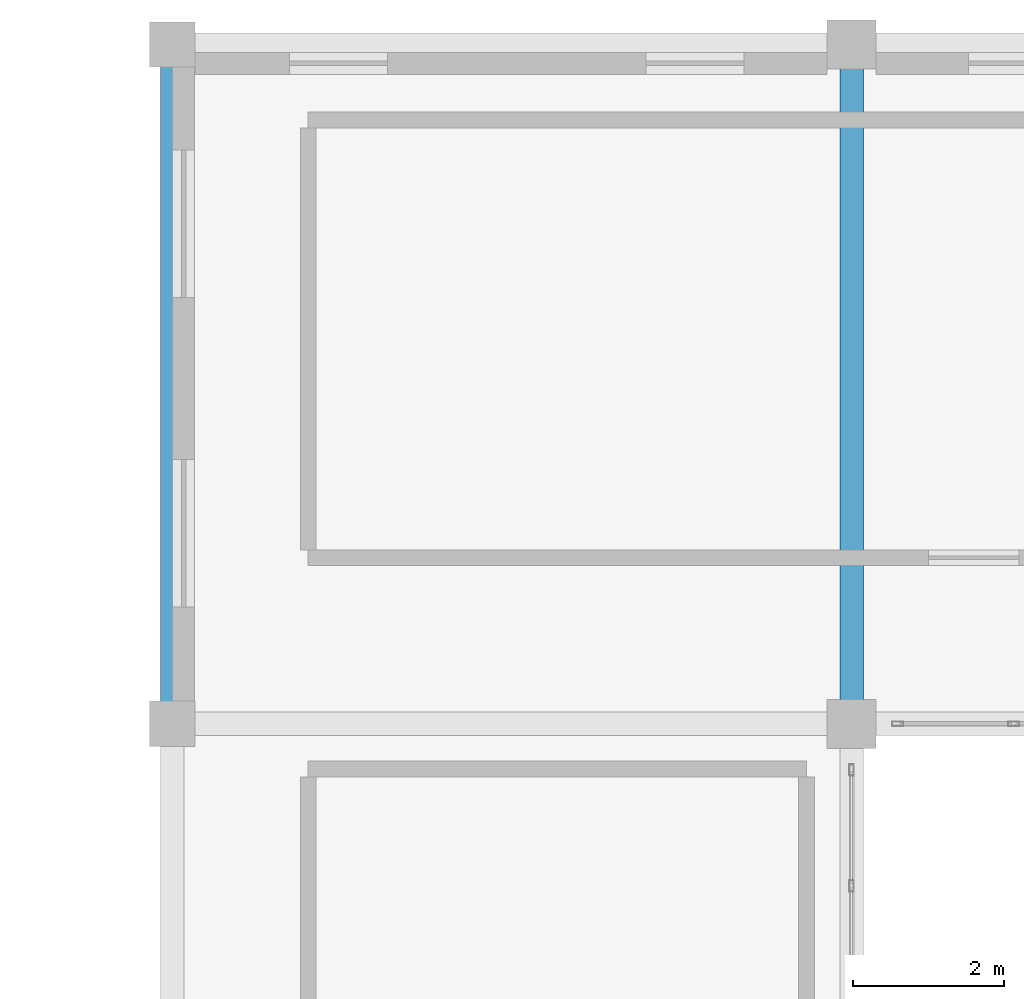
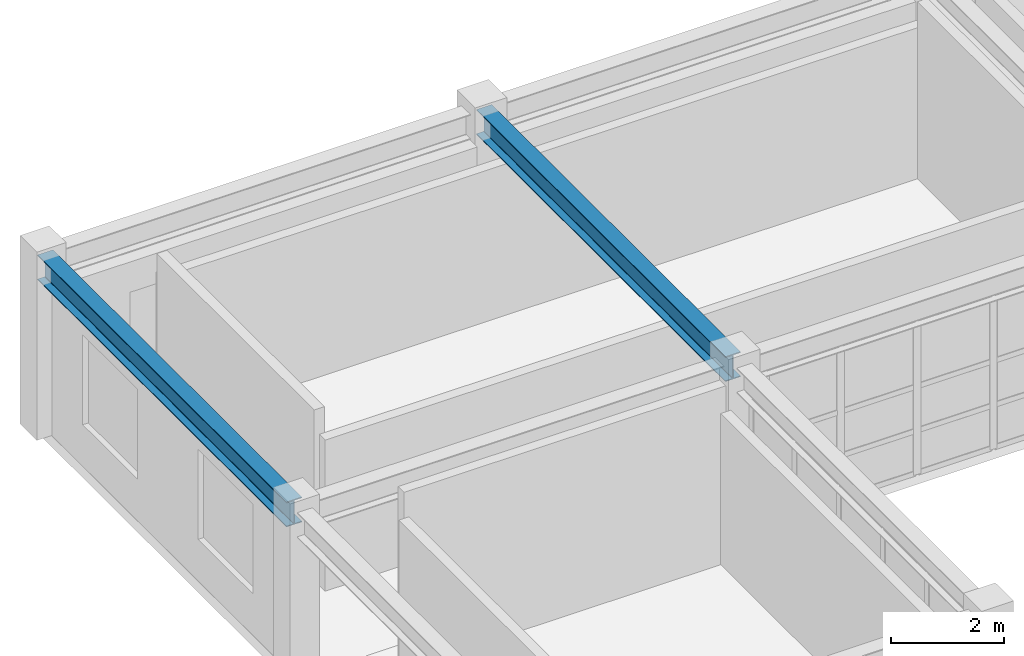
# One storey, part 63 of 110: 2 beams.
"""IFC4 building model written with IfcOpenShell, lengths in metres."""

import ifcopenshell
import ifcopenshell.guid

model = None  # the IFC model being written
_history = None  # IfcOwnerHistory: only IFC2X3 demands one
_inside = {}  # id of a spatial element -> (the spatial element, [elements in it])
_under = {}  # id of a project, library or spatial element -> (it, [spatial elements below it])
_declared = {}  # id of a project -> (the project, [libraries it declares])
_typed = {}  # id of a type object -> (the type object, [elements of that type])
_made_of = {}  # id of a material, layer set ... -> (it, [elements and type objects made of it])


def new_model(schema):
    """Start an empty IFC model of exactly this schema.

    Asked for "IFC4X3", IfcOpenShell would pick the latest addendum, in which some entities
    have other attributes; the version numbers below select the first issue.
    IFC2X3 requires an IfcOwnerHistory on every rooted entity: one is made here for all.
    """
    global model, _history
    if schema == "IFC4X3":
        model = ifcopenshell.file(schema_version=(4, 3, 0, 0))
    else:
        model = ifcopenshell.file(schema=schema)
    _inside.clear()
    _under.clear()
    _declared.clear()
    _typed.clear()
    _made_of.clear()
    _history = None
    if model.schema == "IFC2X3":
        org = make("IfcOrganization", Name="unknown")
        user = make(
            "IfcPersonAndOrganization",
            ThePerson=make("IfcPerson", FamilyName="unknown"),
            TheOrganization=org,
        )
        app = make(
            "IfcApplication",
            ApplicationDeveloper=org,
            Version="unknown",
            ApplicationFullName="unknown",
            ApplicationIdentifier="unknown",
        )
        _history = make(
            "IfcOwnerHistory",
            OwningUser=user,
            OwningApplication=app,
            ChangeAction="ADDED",
            CreationDate=0,
        )
    return model


def make(cls, **values):
    """One entity of the class cls with the attributes given. An attribute that is None is left unset."""
    return model.create_entity(
        cls, **{name: value for name, value in values.items() if value is not None}
    )


def rooted(cls, **values):
    """An entity with a GlobalId (a new one), such as an element, a storey or a relation."""
    return make(cls, GlobalId=ifcopenshell.guid.new(), OwnerHistory=_history, **values)


def si_unit(unit_type, name, prefix=None):
    """IfcSIUnit, for example si_unit("LENGTHUNIT", "METRE", prefix="MILLI")."""
    return make("IfcSIUnit", UnitType=unit_type, Prefix=prefix, Name=name)


def assignment(units):
    """IfcUnitAssignment: the units of a project."""
    return None if units is None else make("IfcUnitAssignment", Units=units)


def point(xyz):
    """IfcCartesianPoint."""
    return None if xyz is None else make("IfcCartesianPoint", Coordinates=xyz)


def direction(xyz):
    """IfcDirection."""
    return None if xyz is None else make("IfcDirection", DirectionRatios=xyz)


def frame(location, z_axis=None, x_axis=None):
    """IfcAxis2Placement3D, a coordinate frame: its origin and axes. An axis left out is left unset."""
    return make(
        "IfcAxis2Placement3D",
        Location=point(location),
        Axis=direction(z_axis),
        RefDirection=direction(x_axis),
    )


def frame_2d(location, x_axis=None):
    """IfcAxis2Placement2D, a coordinate frame in the plane: its origin and x axis."""
    return make(
        "IfcAxis2Placement2D", Location=point(location), RefDirection=direction(x_axis)
    )


def origin():
    """The frame at (0, 0, 0) with its axes left unset."""
    return frame((0.0, 0.0, 0.0))


def origin_2d():
    """The frame at (0, 0) in the plane with its x axis left unset."""
    return frame_2d((0.0, 0.0))


def place(relative_to, where):
    """IfcLocalPlacement: puts the frame where relative to a parent placement (None: the world)."""
    return make(
        "IfcLocalPlacement", PlacementRelTo=relative_to, RelativePlacement=where
    )


def context(
    kind, dimensions, precision=None, world=None, true_north=None, identifier=None
):
    """IfcGeometricRepresentationContext, for example the 3D "Model" context."""
    return make(
        "IfcGeometricRepresentationContext",
        ContextIdentifier=identifier,
        ContextType=kind,
        CoordinateSpaceDimension=dimensions,
        Precision=precision,
        WorldCoordinateSystem=world,
        TrueNorth=true_north,
    )


def subcontext(parent, identifier, kind, view, scale=None):
    """IfcGeometricRepresentationSubContext, for example "Body" below "Model"."""
    return make(
        "IfcGeometricRepresentationSubContext",
        ContextIdentifier=identifier,
        ContextType=kind,
        ParentContext=parent,
        TargetScale=scale,
        TargetView=view,
    )


def project(units=None, contexts=None):
    """IfcProject with its units and contexts."""
    return rooted(
        "IfcProject",
        Name="project",
        RepresentationContexts=contexts,
        UnitsInContext=assignment(units),
    )


def spatial(cls, under=None, at=None, **own):
    """A site, building, storey or space (cls), placed at a placement, below another one or the project."""
    s = rooted(cls, ObjectPlacement=at, **own)
    if under is not None:
        _under.setdefault(under.id(), (under, []))[1].append(s)
    return s


def profile(cls, at=None, kind="AREA", **sizes):
    """A parametric profile (cls). Its sizes go by their IFC names, for example OverallWidth=200.0."""
    return make(cls, ProfileType=kind, Position=at, **sizes)


def i_section(**sizes):
    """IfcIShapeProfileDef."""
    return profile("IfcIShapeProfileDef", **sizes)


def extrude(swept, where, along, depth):
    """IfcExtrudedAreaSolid: the profile swept, set in the frame where, extruded along a direction by depth."""
    return make(
        "IfcExtrudedAreaSolid",
        SweptArea=swept,
        Position=where,
        ExtrudedDirection=direction(along),
        Depth=depth,
    )


def shape(context_of_items, identifier, shape_type, items):
    """IfcShapeRepresentation: the items that make up one representation, for example the "Body"."""
    return make(
        "IfcShapeRepresentation",
        ContextOfItems=context_of_items,
        RepresentationIdentifier=identifier,
        RepresentationType=shape_type,
        Items=items,
    )


def material(Name=None, Category=None):
    """IfcMaterial."""
    return make("IfcMaterial", Name=Name, Category=Category)


def material_profile(
    of_material, cross_section, Name=None, Category=None, Priority=None
):
    """IfcMaterialProfile: a cross section and its material."""
    return make(
        "IfcMaterialProfile",
        Name=Name,
        Material=of_material,
        Profile=cross_section,
        Priority=Priority,
        Category=Category,
    )


def profile_set(profiles, Name=None, composite=None):
    """IfcMaterialProfileSet."""
    return make(
        "IfcMaterialProfileSet",
        Name=Name,
        MaterialProfiles=profiles,
        CompositeProfile=composite,
    )


def made_of(thing, what):
    """Note that an element or type object is made of a material, layer set ...; save() writes the relation."""
    if what is not None:
        _made_of.setdefault(what.id(), (what, []))[1].append(thing)
    return thing


def type_object(cls, material=None, **own):
    """A type object (cls), such as IfcWallType, which elements share."""
    return made_of(rooted(cls, **own), material)


def element(
    cls,
    number,
    at=None,
    inside=None,
    cuts=None,
    type_object=None,
    material=None,
    context=None,
    identifier="Body",
    shape_type=None,
    held_by="IfcProductDefinitionShape",
    body=None,
    shapes=None,
    **own,
):
    """One element of the class cls, such as IfcWall. Its Tag is "e" and its number.

    at: its placement. inside: the storey or other place that contains it. cuts: it is an
    opening in that element (IfcRelVoidsElement). A single representation is given by context,
    identifier, shape_type and body (its items); several are given by shapes. held_by: the class
    of the entity that holds the representations. save() writes the other relations.
    """
    e = rooted(cls, Tag="e%d" % number, ObjectPlacement=at, **own)
    if body is not None:
        shapes = [shape(context, identifier, shape_type, body)]
    if shapes is not None:
        e.Representation = make(held_by, Representations=shapes)
    if inside is not None:
        _inside.setdefault(inside.id(), (inside, []))[1].append(e)
    if cuts is not None:
        rooted(
            "IfcRelVoidsElement", RelatingBuildingElement=cuts, RelatedOpeningElement=e
        )
    if type_object is not None:
        _typed.setdefault(type_object.id(), (type_object, []))[1].append(e)
    return made_of(e, material)


def aggregate(whole, parts):
    """IfcRelAggregates: a whole, such as a stair, and the parts it consists of."""
    return rooted("IfcRelAggregates", RelatingObject=whole, RelatedObjects=parts)


def save(model, path):
    """Write the relations noted so far, then the file.

    IfcRelAggregates (storeys below a building ...), IfcRelContainedInSpatialStructure (elements
    in a storey), IfcRelDefinesByType, IfcRelAssociatesMaterial and IfcRelDeclares: one each for
    every whole, place, type object, material and project.
    """
    for whole, parts in _under.values():
        aggregate(whole, parts)
    for where, things in _inside.values():
        rooted(
            "IfcRelContainedInSpatialStructure",
            RelatedElements=things,
            RelatingStructure=where,
        )
    for kind, things in _typed.values():
        rooted("IfcRelDefinesByType", RelatedObjects=things, RelatingType=kind)
    for what, things in _made_of.values():
        rooted("IfcRelAssociatesMaterial", RelatedObjects=things, RelatingMaterial=what)
    for by, libraries in _declared.values():
        rooted("IfcRelDeclares", RelatingContext=by, RelatedDefinitions=libraries)
    model.write(path)


model = new_model("IFC4")

# Units and contexts
model_context = context("Model", 3, precision=1e-05, world=origin(), true_north=direction((0.0, 1.0)))
body_context = subcontext(model_context, "Body", "Model", "MODEL_VIEW")
ifc_project = project(units=[si_unit("LENGTHUNIT", "METRE"), si_unit("AREAUNIT", "SQUARE_METRE"), si_unit("VOLUMEUNIT", "CUBIC_METRE"), si_unit("PLANEANGLEUNIT", "RADIAN"), si_unit("MASSUNIT", "GRAM", prefix="KILO")], contexts=[model_context])

# Site, building, storey
site_placement = place(None, origin())
site = spatial("IfcSite", under=ifc_project, at=site_placement, CompositionType="ELEMENT")
building_placement = place(site_placement, origin())
building = spatial("IfcBuilding", under=site, at=building_placement, Name="Miravela Opera House", CompositionType="ELEMENT")
storey_placement = place(building_placement, frame((0.0, 0.0, 13.60009765625)))
storey = spatial("IfcBuildingStorey", under=building, at=storey_placement, Name="L03", CompositionType="ELEMENT", Elevation=13.60009765625)

# Beams
ifc_material = material(Name="Structural steel ASTM A992 Gr. 50", Category="steel")
ifc_material_profile = material_profile(ifc_material, i_section(OverallWidth=0.31201171875, OverallDepth=0.54296875, WebThickness=0.0126953125, FlangeThickness=0.020263671875, FilletRadius=0.01611328125, at=origin_2d()), Name="W530X150")
ifc_profile_set = profile_set([ifc_material_profile])
beam_type = type_object("IfcBeamType", Name="STR-BM-W530X150", PredefinedType="BEAM", material=ifc_profile_set)
for number, where, z_axis, x_axis, name in (
    (1, (18.0, 103.080078125, 3.568359375), (0.0, 1.0, 0.0), (-1.0, 0.0, 0.0), "Roof King-Post Transverse Tie Girder ROOF-V3-WEST-N T0.1"),
    (2, (27.0, 103.080078125, 3.568359375), (0.0, 1.0, 0.0), (-1.0, 0.0, 0.0), "Roof King-Post Transverse Tie Girder ROOF-V3-WEST-N T1.1"),
):
    element("IfcBeam", number, at=place(storey_placement, frame(where, z_axis=z_axis, x_axis=x_axis)), inside=storey, type_object=beam_type, Name=name, PredefinedType="BEAM", context=body_context, shape_type="SweptSolid", body=[
        extrude(i_section(OverallWidth=0.31201171875, OverallDepth=0.54296875, WebThickness=0.0126953125, FlangeThickness=0.020263671875, FilletRadius=0.01611328125, at=origin_2d()), origin(), (0.0, 0.0, 1.0), 8.83984375),
    ])

save(model, "model.ifc")
